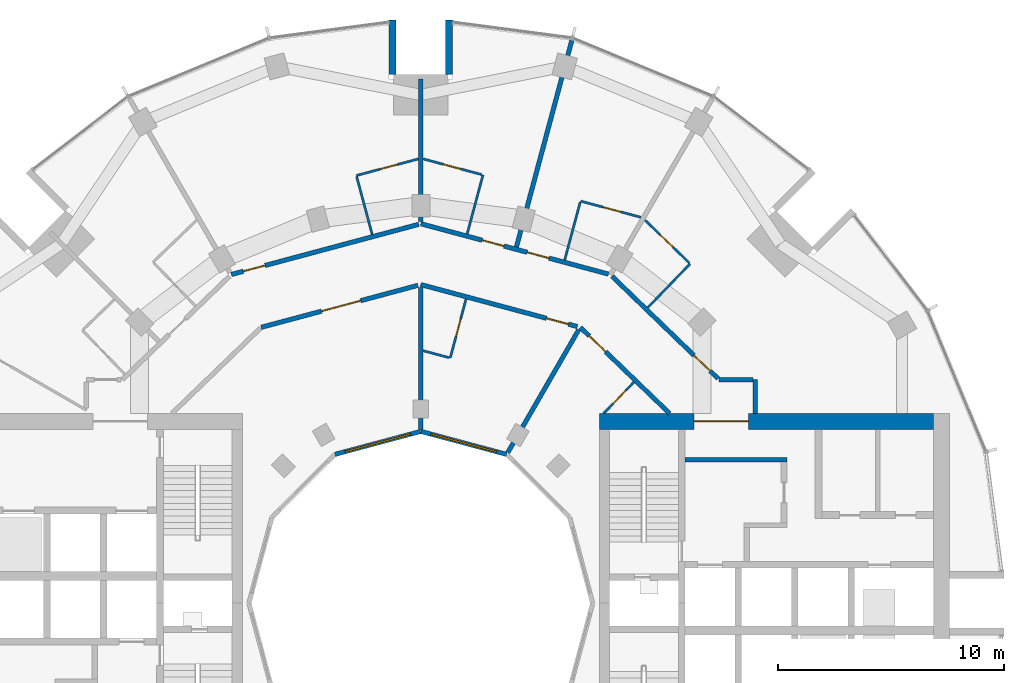
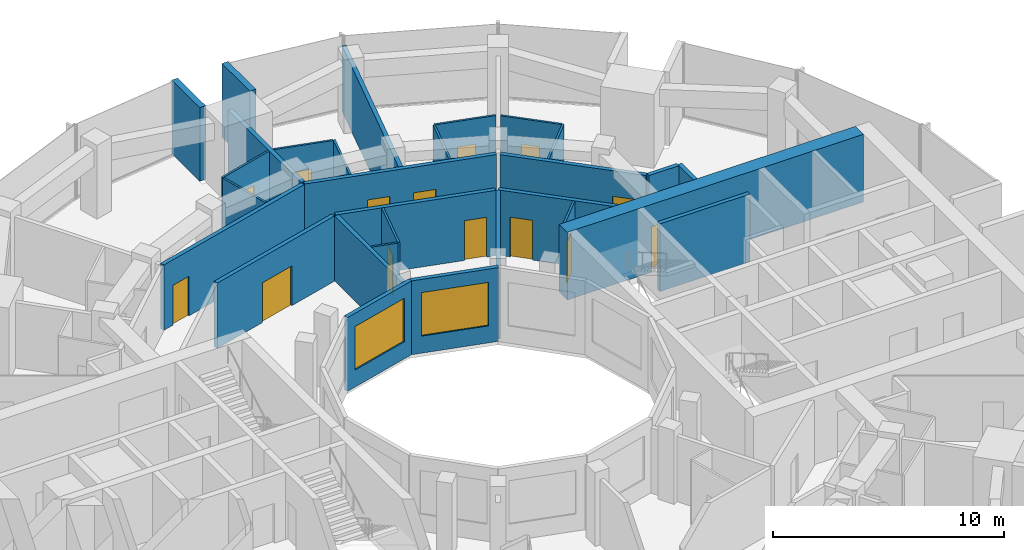
# One storey, part 12 of 15: 29 walls, 14 doors, 2 windows, 16 openings.
"""IFC4 building model written with IfcOpenShell, lengths in metres."""

from ifc_helpers import new_model, si_unit, direction, frame, frame_2d, origin, place, context, subcontext, project, spatial, rectangle, extrude, material, layer, layer_set, type_object, element, fill, save


model = new_model("IFC4")

# Units and contexts
model_context = context("Model", 3, precision=1e-05, world=origin(), true_north=direction((0.0, 1.0)))
body_context = subcontext(model_context, "Body", "Model", "MODEL_VIEW")
ifc_project = project(units=[si_unit("LENGTHUNIT", "METRE"), si_unit("AREAUNIT", "SQUARE_METRE"), si_unit("VOLUMEUNIT", "CUBIC_METRE"), si_unit("PLANEANGLEUNIT", "RADIAN"), si_unit("MASSUNIT", "GRAM", prefix="KILO")], contexts=[model_context])

# Site, building, storey
site_placement = place(None, origin())
site = spatial("IfcSite", under=ifc_project, at=site_placement, CompositionType="ELEMENT")
building_placement = place(site_placement, origin())
building = spatial("IfcBuilding", under=site, at=building_placement, Name="Torre Brocal", CompositionType="ELEMENT")
storey_placement = place(building_placement, frame((0.0, 0.0, 114.60009765625)))
storey = spatial("IfcBuildingStorey", under=building, at=storey_placement, Name="L26", CompositionType="ELEMENT", Elevation=114.60009765625)

# Wall
ifc_material_1 = material(Name="Concrete C70", Category="concrete")
ifc_layer_1 = layer(ifc_material_1, 0.199951171875)
ifc_layer_set_1 = layer_set([ifc_layer_1], Name="Concrete C70")
wall_type_1 = type_object("IfcWallType", Name="CORE WALL 200 C70", PredefinedType="SHEAR", material=ifc_layer_set_1)
wall_1_placement = place(storey_placement, frame((91.699951171875, 81.35009765625, 0.0), z_axis=(0.0, 0.0, 1.0), x_axis=(1.0, 0.0, 0.0)))
element("IfcWall", 1, at=wall_1_placement, inside=storey, type_object=wall_type_1, Name="Wall CW200-70", PredefinedType="SHEAR", context=body_context, shape_type="SweptSolid", body=[
    extrude(rectangle(XDim=4.5, YDim=0.199951171875, at=frame_2d((2.25, 0.0))), origin(), (0.0, 0.0, 1.0), 3.579833984375),
])

# Wall, opening, door
ifc_material_2 = material(Name="Concrete C70", Category="concrete")
ifc_layer_2 = layer(ifc_material_2, 0.699951171875)
ifc_layer_set_2 = layer_set([ifc_layer_2], Name="Concrete C70")
wall_type_2 = type_object("IfcWallType", Name="CORE WALL 700 C70", PredefinedType="SHEAR", material=ifc_layer_set_2)
wall_2_placement = place(storey_placement, frame((87.89990234375, 83.050048828125, 0.0), z_axis=(0.0, 0.0, 1.0), x_axis=(1.0, 0.0, 0.0)))
wall_2 = element("IfcWall", 2, at=wall_2_placement, inside=storey, type_object=wall_type_2, Name="Wall CW700-70", PredefinedType="SHEAR", context=body_context, shape_type="SweptSolid", body=[
    extrude(rectangle(XDim=14.800048828125, YDim=0.699951171875, at=frame_2d((7.39990234375, 0.0))), origin(), (0.0, 0.0, 1.0), 3.579833984375),
])
opening_1_placement = place(wall_2_placement, frame((4.199951171875, 0.0, 0.0)))
opening_1 = element("IfcOpeningElement", 3, at=opening_1_placement, cuts=wall_2, Name="Opening E-D24", PredefinedType="OPENING", context=body_context, shape_type="SweptSolid", body=[
    extrude(rectangle(XDim=2.39990234375, YDim=2.39990234375, at=frame_2d((1.199951171875, 1.199951171875))), frame((0.0, 0.35986328125, 0.0), z_axis=(0.0, -1.0, 0.0), x_axis=(1.0, 0.0, 0.0)), (0.0, 0.0, 1.0), 0.719970703125),
])
ifc_material_3 = material(Name="Steel A653", Category="steel")
door_type_1 = type_object("IfcDoorType", Name="DOUBLE FIRE DOOR FD90 2400X2400", OperationType="DOUBLE_DOOR_SINGLE_SWING", PredefinedType="DOOR", material=ifc_material_3)
door_1_placement = place(opening_1_placement, frame((2.39990234375, 0.0, 0.0), z_axis=(0.0, 0.0, 1.0), x_axis=(-1.0, 0.0, 0.0)))
door_1 = element("IfcDoor", 4, at=door_1_placement, inside=storey, type_object=door_type_1, Name="Door E-D24", OperationType="DOUBLE_DOOR_SINGLE_SWING", OverallHeight=2.39990234375, OverallWidth=2.39990234375, PredefinedType="DOOR", context=body_context, shape_type="SweptSolid", body=[
    extrude(rectangle(XDim=2.39990234375, YDim=2.39990234375, at=frame_2d((1.199951171875, 1.199951171875))), frame((0.0, 0.02490234375, 0.0), z_axis=(0.0, -1.0, 0.0), x_axis=(1.0, 0.0, 0.0)), (0.0, 0.0, 1.0), 0.050048828125),
])
fill(opening_1, door_1)

# Walls
ifc_material_4 = material(Name="Concrete C70", Category="concrete")
ifc_layer_3 = layer(ifc_material_4, 0.300048828125)
ifc_layer_set_3 = layer_set([ifc_layer_3], Name="Concrete C70")
wall_type_3 = type_object("IfcWallType", Name="NOTCH RETURN WALL 300 C70", PredefinedType="NOTDEFINED", material=ifc_layer_set_3)
for number, where, z_axis, x_axis, name in (
    (5, (81.25, 98.39990234375, 0.0), (0.0, 0.0, 1.0), (0.0, 1.0, 0.0), "NOTCH RETURN WALL"),
    (6, (78.75, 98.39990234375, 0.0), (0.0, 0.0, 1.0), (0.0, 1.0, 0.0), "NOTCH RETURN WALL"),
):
    element("IfcWall", number, at=place(storey_placement, frame(where, z_axis=z_axis, x_axis=x_axis)), inside=storey, type_object=wall_type_3, Name=name, PredefinedType="NOTDEFINED", context=body_context, shape_type="SweptSolid", body=[
        extrude(rectangle(XDim=2.415771484375, YDim=0.300048828125, at=frame_2d((1.2080078125, 0.0))), origin(), (0.0, 0.0, 1.0), 3.89990234375),
    ])
ifc_material_5 = material(Name="Gypsum board", Category="Gypsum")
ifc_layer_4 = layer(ifc_material_5, 0.10009765625)
ifc_layer_set_4 = layer_set([ifc_layer_4], Name="Gypsum board")
wall_type_4 = type_object("IfcWallType", Name="PARTITION 100", PredefinedType="PARTITIONING", material=ifc_layer_set_4)
wall_3_placement = place(storey_placement, frame((77.161865234375, 93.8828125, 0.0), z_axis=(0.0, 0.0, 1.0), x_axis=(0.258998589493, -0.965877699629, 0.0)))
element("IfcWall", 7, at=wall_3_placement, inside=storey, type_object=wall_type_4, Name="BATHROOM WALL", PredefinedType="PARTITIONING", context=body_context, shape_type="SweptSolid", body=[
    extrude(rectangle(XDim=2.649658203125, YDim=0.10009765625, at=frame_2d((1.32470703125, 0.0))), origin(), (0.0, 0.0, 1.0), 3.449951171875),
])

# Wall, opening, door
wall_4_placement = place(storey_placement, frame((77.14892578125, 93.930908203125, 0.0), z_axis=(0.0, 0.0, 1.0), x_axis=(0.965916219953, 0.258854893776, 0.0)))
wall_4 = element("IfcWall", 8, at=wall_4_placement, inside=storey, type_object=wall_type_4, Name="BATHROOM WALL", PredefinedType="PARTITIONING", context=body_context, shape_type="SweptSolid", body=[
    extrude(rectangle(XDim=2.841796875, YDim=0.10009765625, at=frame_2d((1.4208984375, 0.0))), origin(), (0.0, 0.0, 1.0), 3.449951171875),
])
opening_2_placement = place(wall_4_placement, frame((1.07568359375, 0.0, 0.0)))
opening_2 = element("IfcOpeningElement", 9, at=opening_2_placement, cuts=wall_4, Name="Opening E01-D08", PredefinedType="OPENING", context=body_context, shape_type="SweptSolid", body=[
    extrude(rectangle(XDim=0.800048828125, YDim=2.10009765625, at=frame_2d((0.39990234375, 1.050048828125))), frame((0.0, 0.06005859375, 0.0), z_axis=(0.0, -1.0, 0.0), x_axis=(1.0, 0.0, 0.0)), (0.0, 0.0, 1.0), 0.1201171875),
])
ifc_material_6 = material(Name="Timber", Category="wood")
door_type_2 = type_object("IfcDoorType", Name="BATHROOM DOOR 800X2100", OperationType="SINGLE_SWING_LEFT", PredefinedType="DOOR", material=ifc_material_6)
door_2_placement = place(opening_2_placement, frame((0.800048828125, 0.0, 0.0), z_axis=(0.0, 0.0, 1.0), x_axis=(-1.0, 0.0, 0.0)))
door_2 = element("IfcDoor", 10, at=door_2_placement, inside=storey, type_object=door_type_2, Name="E01-D08", OperationType="SINGLE_SWING_LEFT", OverallHeight=2.10009765625, OverallWidth=0.800048828125, PredefinedType="DOOR", context=body_context, shape_type="SweptSolid", body=[
    extrude(rectangle(XDim=0.800048828125, YDim=2.10009765625, at=frame_2d((0.39990234375, 1.050048828125))), frame((0.0, 0.02490234375, 0.0), z_axis=(0.0, -1.0, 0.0), x_axis=(1.0, 0.0, 0.0)), (0.0, 0.0, 1.0), 0.050048828125),
])
fill(opening_2, door_2)

# Wall
wall_5_placement = place(storey_placement, frame((80.106201171875, 86.176513671875, 0.0), z_axis=(0.0, 0.0, 1.0), x_axis=(0.966002973184, -0.258530957139, 0.0)))
element("IfcWall", 11, at=wall_5_placement, inside=storey, type_object=wall_type_4, Name="BATHROOM WALL", PredefinedType="PARTITIONING", context=body_context, shape_type="SweptSolid", body=[
    extrude(rectangle(XDim=1.18994140625, YDim=0.10009765625, at=frame_2d((0.594970703125, 0.0))), origin(), (0.0, 0.0, 1.0), 3.449951171875),
])

# Wall, opening, door
wall_6_placement = place(storey_placement, frame((80.106201171875, 94.666748046875, 0.0), z_axis=(0.0, 0.0, 1.0), x_axis=(0.965904298007, -0.258899376382, 0.0)))
wall_6 = element("IfcWall", 12, at=wall_6_placement, inside=storey, type_object=wall_type_4, Name="BATHROOM WALL", PredefinedType="PARTITIONING", context=body_context, shape_type="SweptSolid", body=[
    extrude(rectangle(XDim=2.6904296875, YDim=0.10009765625, at=frame_2d((1.34521484375, 0.0))), origin(), (0.0, 0.0, 1.0), 3.449951171875),
])
opening_3_placement = place(wall_6_placement, frame((0.9150390625, 0.0, 0.0)))
opening_3 = element("IfcOpeningElement", 13, at=opening_3_placement, cuts=wall_6, Name="Opening E01-D06", PredefinedType="OPENING", context=body_context, shape_type="SweptSolid", body=[
    extrude(rectangle(XDim=0.800048828125, YDim=2.10009765625, at=frame_2d((0.39990234375, 1.050048828125))), frame((0.0, 0.06005859375, 0.0), z_axis=(0.0, -1.0, 0.0), x_axis=(1.0, 0.0, 0.0)), (0.0, 0.0, 1.0), 0.1201171875),
])
door_3_placement = place(opening_3_placement, frame((0.800048828125, 0.0, 0.0), z_axis=(0.0, 0.0, 1.0), x_axis=(-1.0, 0.0, 0.0)))
door_3 = element("IfcDoor", 14, at=door_3_placement, inside=storey, type_object=door_type_2, Name="E01-D06", OperationType="SINGLE_SWING_RIGHT", OverallHeight=2.10009765625, OverallWidth=0.800048828125, PredefinedType="DOOR", context=body_context, shape_type="SweptSolid", body=[
    extrude(rectangle(XDim=0.800048828125, YDim=2.10009765625, at=frame_2d((0.39990234375, 1.050048828125))), frame((0.0, 0.02490234375, 0.0), z_axis=(0.0, -1.0, 0.0), x_axis=(1.0, 0.0, 0.0)), (0.0, 0.0, 1.0), 0.050048828125),
])
fill(opening_3, door_3)

wall_7_placement = place(storey_placement, frame((81.303955078125, 85.85595703125, 0.0), z_axis=(0.0, 0.0, 1.0), x_axis=(0.25867580527, 0.965964195904, 0.0)))
wall_7 = element("IfcWall", 15, at=wall_7_placement, inside=storey, type_object=wall_type_4, Name="BATHROOM WALL", PredefinedType="PARTITIONING", context=body_context, shape_type="SweptSolid", body=[
    extrude(rectangle(XDim=2.69921875, YDim=0.10009765625, at=frame_2d((1.349609375, 0.0))), origin(), (0.0, 0.0, 1.0), 3.449951171875),
])
opening_4_placement = place(wall_7_placement, frame((0.99951171875, 0.0, 0.0)))
opening_4 = element("IfcOpeningElement", 16, at=opening_4_placement, cuts=wall_7, Name="Opening E01-D17", PredefinedType="OPENING", context=body_context, shape_type="SweptSolid", body=[
    extrude(rectangle(XDim=0.800048828125, YDim=2.10009765625, at=frame_2d((0.39990234375, 1.050048828125))), frame((0.0, 0.06005859375, 0.0), z_axis=(0.0, -1.0, 0.0), x_axis=(1.0, 0.0, 0.0)), (0.0, 0.0, 1.0), 0.1201171875),
])
door_4_placement = place(opening_4_placement, origin())
door_4 = element("IfcDoor", 17, at=door_4_placement, inside=storey, type_object=door_type_2, Name="E01-D17", OperationType="SINGLE_SWING_RIGHT", OverallHeight=2.10009765625, OverallWidth=0.800048828125, PredefinedType="DOOR", context=body_context, shape_type="SweptSolid", body=[
    extrude(rectangle(XDim=0.800048828125, YDim=2.10009765625, at=frame_2d((0.39990234375, 1.050048828125))), frame((0.0, 0.02490234375, 0.0), z_axis=(0.0, -1.0, 0.0), x_axis=(1.0, 0.0, 0.0)), (0.0, 0.0, 1.0), 0.050048828125),
])
fill(opening_4, door_4)

# Walls
wall_8_placement = place(storey_placement, frame((82.053955078125, 91.349609375, 0.0), z_axis=(0.0, 0.0, 1.0), x_axis=(0.258928960762, 0.965896367774, 0.0)))
element("IfcWall", 18, at=wall_8_placement, inside=storey, type_object=wall_type_4, Name="BATHROOM WALL", PredefinedType="PARTITIONING", context=body_context, shape_type="SweptSolid", body=[
    extrude(rectangle(XDim=2.699462890625, YDim=0.10009765625, at=frame_2d((1.349609375, 0.0))), origin(), (0.0, 0.0, 1.0), 3.449951171875),
])
wall_9_placement = place(storey_placement, frame((86.3701171875, 90.193359375, 0.0), z_axis=(0.0, 0.0, 1.0), x_axis=(0.259044695829, 0.965865335108, 0.0)))
element("IfcWall", 19, at=wall_9_placement, inside=storey, type_object=wall_type_4, Name="BATHROOM WALL", PredefinedType="PARTITIONING", context=body_context, shape_type="SweptSolid", body=[
    extrude(rectangle(XDim=2.649169921875, YDim=0.10009765625, at=frame_2d((1.32470703125, 0.0))), origin(), (0.0, 0.0, 1.0), 3.449951171875),
])

# Wall, opening, door
wall_10_placement = place(storey_placement, frame((87.081787109375, 92.796875, 0.0), z_axis=(0.0, 0.0, 1.0), x_axis=(0.965892621415, -0.258942935598, 0.0)))
wall_10 = element("IfcWall", 20, at=wall_10_placement, inside=storey, type_object=wall_type_4, Name="BATHROOM WALL", PredefinedType="PARTITIONING", context=body_context, shape_type="SweptSolid", body=[
    extrude(rectangle(XDim=2.753173828125, YDim=0.10009765625, at=frame_2d((1.37646484375, 0.0))), origin(), (0.0, 0.0, 1.0), 3.449951171875),
])
opening_5_placement = place(wall_10_placement, frame((1.03173828125, 0.0, 0.0)))
opening_5 = element("IfcOpeningElement", 21, at=opening_5_placement, cuts=wall_10, Name="Opening E01-D04", PredefinedType="OPENING", context=body_context, shape_type="SweptSolid", body=[
    extrude(rectangle(XDim=0.800048828125, YDim=2.10009765625, at=frame_2d((0.39990234375, 1.050048828125))), frame((0.0, 0.06005859375, 0.0), z_axis=(0.0, -1.0, 0.0), x_axis=(1.0, 0.0, 0.0)), (0.0, 0.0, 1.0), 0.1201171875),
])
door_5_placement = place(opening_5_placement, frame((0.800048828125, 0.0, 0.0), z_axis=(0.0, 0.0, 1.0), x_axis=(-1.0, 0.0, 0.0)))
door_5 = element("IfcDoor", 22, at=door_5_placement, inside=storey, type_object=door_type_2, Name="E01-D04", OperationType="SINGLE_SWING_LEFT", OverallHeight=2.10009765625, OverallWidth=0.800048828125, PredefinedType="DOOR", context=body_context, shape_type="SweptSolid", body=[
    extrude(rectangle(XDim=0.800048828125, YDim=2.10009765625, at=frame_2d((0.39990234375, 1.050048828125))), frame((0.0, 0.02490234375, 0.0), z_axis=(0.0, -1.0, 0.0), x_axis=(1.0, 0.0, 0.0)), (0.0, 0.0, 1.0), 0.050048828125),
])
fill(opening_5, door_5)

wall_11_placement = place(storey_placement, frame((88.094970703125, 83.39990234375, 0.0), z_axis=(0.0, 0.0, 1.0), x_axis=(0.694447472534, 0.719543402368, 0.0)))
wall_11 = element("IfcWall", 23, at=wall_11_placement, inside=storey, type_object=wall_type_4, Name="BATHROOM WALL", PredefinedType="PARTITIONING", context=body_context, shape_type="SweptSolid", body=[
    extrude(rectangle(XDim=1.92626953125, YDim=0.10009765625, at=frame_2d((0.963134765625, 0.0))), origin(), (0.0, 0.0, 1.0), 3.449951171875),
])
opening_6_placement = place(wall_11_placement, frame((0.613037109375, 0.0, 0.0)))
opening_6 = element("IfcOpeningElement", 24, at=opening_6_placement, cuts=wall_11, Name="Opening E01-D15", PredefinedType="OPENING", context=body_context, shape_type="SweptSolid", body=[
    extrude(rectangle(XDim=0.800048828125, YDim=2.10009765625, at=frame_2d((0.39990234375, 1.050048828125))), frame((0.0, 0.06005859375, 0.0), z_axis=(0.0, -1.0, 0.0), x_axis=(1.0, 0.0, 0.0)), (0.0, 0.0, 1.0), 0.1201171875),
])
door_6_placement = place(opening_6_placement, frame((0.800048828125, 0.0, 0.0), z_axis=(0.0, 0.0, 1.0), x_axis=(-1.0, 0.0, 0.0)))
door_6 = element("IfcDoor", 25, at=door_6_placement, inside=storey, type_object=door_type_2, Name="E01-D15", OperationType="SINGLE_SWING_LEFT", OverallHeight=2.10009765625, OverallWidth=0.800048828125, PredefinedType="DOOR", context=body_context, shape_type="SweptSolid", body=[
    extrude(rectangle(XDim=0.800048828125, YDim=2.10009765625, at=frame_2d((0.39990234375, 1.050048828125))), frame((0.0, 0.02490234375, 0.0), z_axis=(0.0, -1.0, 0.0), x_axis=(1.0, 0.0, 0.0)), (0.0, 0.0, 1.0), 0.050048828125),
])
fill(opening_6, door_6)

wall_12_placement = place(storey_placement, frame((89.9248046875, 91.956298828125, 0.0), z_axis=(0.0, 0.0, 1.0), x_axis=(0.719395291255, -0.694600903339, 0.0)))
wall_12 = element("IfcWall", 26, at=wall_12_placement, inside=storey, type_object=wall_type_4, Name="BATHROOM WALL", PredefinedType="PARTITIONING", context=body_context, shape_type="SweptSolid", body=[
    extrude(rectangle(XDim=2.7275390625, YDim=0.10009765625, at=frame_2d((1.36376953125, 0.0))), origin(), (0.0, 0.0, 1.0), 3.449951171875),
])
opening_7_placement = place(wall_12_placement, frame((0.928466796875, 0.0, 0.0)))
opening_7 = element("IfcOpeningElement", 27, at=opening_7_placement, cuts=wall_12, Name="Opening E01-D02", PredefinedType="OPENING", context=body_context, shape_type="SweptSolid", body=[
    extrude(rectangle(XDim=0.800048828125, YDim=2.10009765625, at=frame_2d((0.39990234375, 1.050048828125))), frame((0.0, 0.06005859375, 0.0), z_axis=(0.0, -1.0, 0.0), x_axis=(1.0, 0.0, 0.0)), (0.0, 0.0, 1.0), 0.1201171875),
])
door_7_placement = place(opening_7_placement, frame((0.800048828125, 0.0, 0.0), z_axis=(0.0, 0.0, 1.0), x_axis=(-1.0, 0.0, 0.0)))
door_7 = element("IfcDoor", 28, at=door_7_placement, inside=storey, type_object=door_type_2, Name="E01-D02", OperationType="SINGLE_SWING_RIGHT", OverallHeight=2.10009765625, OverallWidth=0.800048828125, PredefinedType="DOOR", context=body_context, shape_type="SweptSolid", body=[
    extrude(rectangle(XDim=0.800048828125, YDim=2.10009765625, at=frame_2d((0.39990234375, 1.050048828125))), frame((0.0, 0.02490234375, 0.0), z_axis=(0.0, -1.0, 0.0), x_axis=(1.0, 0.0, 0.0)), (0.0, 0.0, 1.0), 0.050048828125),
])
fill(opening_7, door_7)

# Wall
wall_13_placement = place(storey_placement, frame((90.047607421875, 88.0849609375, 0.0), z_axis=(0.0, 0.0, 1.0), x_axis=(0.694655834207, 0.71934224956, 0.0)))
element("IfcWall", 29, at=wall_13_placement, inside=storey, type_object=wall_type_4, Name="BATHROOM WALL", PredefinedType="PARTITIONING", context=body_context, shape_type="SweptSolid", body=[
    extrude(rectangle(XDim=2.699951171875, YDim=0.10009765625, at=frame_2d((1.35009765625, 0.0))), origin(), (0.0, 0.0, 1.0), 3.449951171875),
])

# Wall, opening, door
ifc_material_7 = material(Name="Gypsum board", Category="Gypsum")
ifc_layer_5 = layer(ifc_material_7, 0.199951171875)
ifc_layer_set_5 = layer_set([ifc_layer_5], Name="Gypsum board")
wall_type_5 = type_object("IfcWallType", Name="PARTITION 200 EI60", PredefinedType="PARTITIONING", material=ifc_layer_set_5)
wall_14_placement = place(storey_placement, frame((71.61376953125, 89.549560546875, 0.0), z_axis=(0.0, 0.0, 1.0), x_axis=(0.965967958589, 0.258661753994, 0.0)))
wall_14 = element("IfcWall", 30, at=wall_14_placement, inside=storey, type_object=wall_type_5, Name="GUESTROOM CORRIDOR WALL", PredefinedType="PARTITIONING", context=body_context, shape_type="SweptSolid", body=[
    extrude(rectangle(XDim=8.592041015625, YDim=0.199951171875, at=frame_2d((4.2958984375, 0.0))), origin(), (0.0, 0.0, 1.0), 3.449951171875),
])
opening_8_placement = place(wall_14_placement, frame((0.550048828125, 0.0, 0.0)))
opening_8 = element("IfcOpeningElement", 31, at=opening_8_placement, cuts=wall_14, Name="Opening E01-D07", PredefinedType="OPENING", context=body_context, shape_type="SweptSolid", body=[
    extrude(rectangle(XDim=1.0, YDim=2.10009765625, at=frame_2d((0.5, 1.050048828125))), frame((0.0, 0.10986328125, 0.0), z_axis=(0.0, -1.0, 0.0), x_axis=(1.0, 0.0, 0.0)), (0.0, 0.0, 1.0), 0.219970703125),
])
ifc_material_8 = material(Name="Timber", Category="wood")
door_type_3 = type_object("IfcDoorType", Name="FLAT ENTRY DOOR FD30S 1000X2100", OperationType="SINGLE_SWING_RIGHT", PredefinedType="DOOR", material=ifc_material_8)
door_8_placement = place(opening_8_placement, origin())
door_8 = element("IfcDoor", 32, at=door_8_placement, inside=storey, type_object=door_type_3, Name="E01-D07", OperationType="SINGLE_SWING_LEFT", OverallHeight=2.10009765625, OverallWidth=1.0, PredefinedType="DOOR", context=body_context, shape_type="SweptSolid", body=[
    extrude(rectangle(XDim=1.0, YDim=2.10009765625, at=frame_2d((0.5, 1.050048828125))), frame((0.0, 0.02490234375, 0.0), z_axis=(0.0, -1.0, 0.0), x_axis=(1.0, 0.0, 0.0)), (0.0, 0.0, 1.0), 0.050048828125),
])
fill(opening_8, door_8)

wall_15_placement = place(storey_placement, frame((72.93603515625, 87.2109375, 0.0), z_axis=(0.0, 0.0, 1.0), x_axis=(0.965917703859, 0.258849356521, 0.0)))
wall_15 = element("IfcWall", 33, at=wall_15_placement, inside=storey, type_object=wall_type_5, Name="GUESTROOM CORRIDOR WALL", PredefinedType="PARTITIONING", context=body_context, shape_type="SweptSolid", body=[
    extrude(rectangle(XDim=7.182373046875, YDim=0.199951171875, at=frame_2d((3.59130859375, 0.0))), origin(), (0.0, 0.0, 1.0), 3.449951171875),
])
opening_9_placement = place(wall_15_placement, frame((2.756591796875, 0.0, 0.0)))
opening_9 = element("IfcOpeningElement", 34, at=opening_9_placement, cuts=wall_15, Name="Opening E01-D18", PredefinedType="OPENING", context=body_context, shape_type="SweptSolid", body=[
    extrude(rectangle(XDim=1.800048828125, YDim=2.10009765625, at=frame_2d((0.89990234375, 1.050048828125))), frame((0.0, 0.10986328125, 0.0), z_axis=(0.0, -1.0, 0.0), x_axis=(1.0, 0.0, 0.0)), (0.0, 0.0, 1.0), 0.219970703125),
])
ifc_material_9 = material(Name="Timber", Category="wood")
door_type_4 = type_object("IfcDoorType", Name="DOUBLE DOOR 1800X2100", OperationType="DOUBLE_DOOR_SINGLE_SWING", PredefinedType="DOOR", material=ifc_material_9)
door_9_placement = place(opening_9_placement, frame((1.800048828125, 0.0, 0.0), z_axis=(0.0, 0.0, 1.0), x_axis=(-1.0, 0.0, 0.0)))
door_9 = element("IfcDoor", 35, at=door_9_placement, inside=storey, type_object=door_type_4, Name="E01-D18", OperationType="DOUBLE_DOOR_SINGLE_SWING", OverallHeight=2.10009765625, OverallWidth=1.800048828125, PredefinedType="DOOR", context=body_context, shape_type="SweptSolid", body=[
    extrude(rectangle(XDim=1.800048828125, YDim=2.10009765625, at=frame_2d((0.89990234375, 1.050048828125))), frame((0.0, 0.02490234375, 0.0), z_axis=(0.0, -1.0, 0.0), x_axis=(1.0, 0.0, 0.0)), (0.0, 0.0, 1.0), 0.050048828125),
])
fill(opening_9, door_9)

# Wall
wall_16_placement = place(storey_placement, frame((80.0, 82.699951171875, 0.0), z_axis=(0.0, 0.0, 1.0), x_axis=(0.0, 1.0, 0.0)))
element("IfcWall", 36, at=wall_16_placement, inside=storey, type_object=wall_type_5, Name="BATHROOM WALL", PredefinedType="PARTITIONING", context=body_context, shape_type="SweptSolid", body=[
    extrude(rectangle(XDim=6.27294921875, YDim=0.199951171875, at=frame_2d((3.136474609375, 0.0))), origin(), (0.0, 0.0, 1.0), 3.449951171875),
])

# Wall, opening, door
wall_17_placement = place(storey_placement, frame((80.0, 89.10400390625, 0.0), z_axis=(0.0, 0.0, 1.0), x_axis=(0.965856548257, -0.259077455964, 0.0)))
wall_17 = element("IfcWall", 37, at=wall_17_placement, inside=storey, type_object=wall_type_5, Name="GUESTROOM CORRIDOR WALL", PredefinedType="PARTITIONING", context=body_context, shape_type="SweptSolid", body=[
    extrude(rectangle(XDim=7.173095703125, YDim=0.199951171875, at=frame_2d((3.58642578125, 0.0))), origin(), (0.0, 0.0, 1.0), 3.449951171875),
])
opening_10_placement = place(wall_17_placement, frame((5.76318359375, 0.0, 0.0)))
opening_10 = element("IfcOpeningElement", 38, at=opening_10_placement, cuts=wall_17, Name="Opening E01-D16", PredefinedType="OPENING", context=body_context, shape_type="SweptSolid", body=[
    extrude(rectangle(XDim=1.0, YDim=2.10009765625, at=frame_2d((0.5, 1.050048828125))), frame((0.0, 0.10986328125, 0.0), z_axis=(0.0, -1.0, 0.0), x_axis=(1.0, 0.0, 0.0)), (0.0, 0.0, 1.0), 0.219970703125),
])
door_10_placement = place(opening_10_placement, frame((1.0, 0.0, 0.0), z_axis=(0.0, 0.0, 1.0), x_axis=(-1.0, 0.0, 0.0)))
door_10 = element("IfcDoor", 39, at=door_10_placement, inside=storey, type_object=door_type_3, Name="E01-D16", OperationType="SINGLE_SWING_LEFT", OverallHeight=2.10009765625, OverallWidth=1.0, PredefinedType="DOOR", context=body_context, shape_type="SweptSolid", body=[
    extrude(rectangle(XDim=1.0, YDim=2.10009765625, at=frame_2d((0.5, 1.050048828125))), frame((0.0, 0.02490234375, 0.0), z_axis=(0.0, -1.0, 0.0), x_axis=(1.0, 0.0, 0.0)), (0.0, 0.0, 1.0), 0.050048828125),
])
fill(opening_10, door_10)

# Wall
wall_18_placement = place(storey_placement, frame((80.0, 91.886962890625, 0.0), z_axis=(0.0, 0.0, 1.0), x_axis=(0.0, 1.0, 0.0)))
element("IfcWall", 40, at=wall_18_placement, inside=storey, type_object=wall_type_5, Name="BATHROOM WALL", PredefinedType="PARTITIONING", context=body_context, shape_type="SweptSolid", body=[
    extrude(rectangle(XDim=6.31201171875, YDim=0.199951171875, at=frame_2d((3.156005859375, 0.0))), origin(), (0.0, 0.0, 1.0), 3.449951171875),
])

# Wall, openings, doors
wall_19_placement = place(storey_placement, frame((80.000244140625, 91.796875, 0.0), z_axis=(0.0, 0.0, 1.0), x_axis=(0.965857042792, -0.259075612301, 0.0)))
wall_19 = element("IfcWall", 41, at=wall_19_placement, inside=storey, type_object=wall_type_5, Name="GUESTROOM CORRIDOR WALL", PredefinedType="PARTITIONING", context=body_context, shape_type="SweptSolid", body=[
    extrude(rectangle(XDim=8.601806640625, YDim=0.199951171875, at=frame_2d((4.30078125, 0.0))), origin(), (0.0, 0.0, 1.0), 3.449951171875),
])
opening_11_placement = place(wall_19_placement, frame((4.87744140625, 0.0, 0.0)))
opening_11 = element("IfcOpeningElement", 42, at=opening_11_placement, cuts=wall_19, Name="Opening E01-D03", PredefinedType="OPENING", context=body_context, shape_type="SweptSolid", body=[
    extrude(rectangle(XDim=1.0, YDim=2.10009765625, at=frame_2d((0.5, 1.050048828125))), frame((0.0, 0.10986328125, 0.0), z_axis=(0.0, -1.0, 0.0), x_axis=(1.0, 0.0, 0.0)), (0.0, 0.0, 1.0), 0.219970703125),
])
opening_12_placement = place(wall_19_placement, frame((2.816650390625, 0.0, 0.0)))
opening_12 = element("IfcOpeningElement", 43, at=opening_12_placement, cuts=wall_19, Name="Opening E01-D05", PredefinedType="OPENING", context=body_context, shape_type="SweptSolid", body=[
    extrude(rectangle(XDim=1.0, YDim=2.10009765625, at=frame_2d((0.5, 1.050048828125))), frame((0.0, 0.10986328125, 0.0), z_axis=(0.0, -1.0, 0.0), x_axis=(1.0, 0.0, 0.0)), (0.0, 0.0, 1.0), 0.219970703125),
])
door_11_placement = place(opening_11_placement, origin())
door_11 = element("IfcDoor", 44, at=door_11_placement, inside=storey, type_object=door_type_3, Name="E01-D03", OperationType="SINGLE_SWING_LEFT", OverallHeight=2.10009765625, OverallWidth=1.0, PredefinedType="DOOR", context=body_context, shape_type="SweptSolid", body=[
    extrude(rectangle(XDim=1.0, YDim=2.10009765625, at=frame_2d((0.5, 1.050048828125))), frame((0.0, 0.02490234375, 0.0), z_axis=(0.0, -1.0, 0.0), x_axis=(1.0, 0.0, 0.0)), (0.0, 0.0, 1.0), 0.050048828125),
])
fill(opening_11, door_11)
door_12_placement = place(opening_12_placement, origin())
door_12 = element("IfcDoor", 45, at=door_12_placement, inside=storey, type_object=door_type_3, Name="E01-D05", OperationType="SINGLE_SWING_RIGHT", OverallHeight=2.10009765625, OverallWidth=1.0, PredefinedType="DOOR", context=body_context, shape_type="SweptSolid", body=[
    extrude(rectangle(XDim=1.0, YDim=2.10009765625, at=frame_2d((0.5, 1.050048828125))), frame((0.0, 0.02490234375, 0.0), z_axis=(0.0, -1.0, 0.0), x_axis=(1.0, 0.0, 0.0)), (0.0, 0.0, 1.0), 0.050048828125),
])
fill(opening_12, door_12)

# Walls
wall_20_placement = place(storey_placement, frame((83.849853515625, 81.66650390625, 0.0), z_axis=(0.0, 0.0, 1.0), x_axis=(0.500224530691, 0.865895732115, 0.0)))
element("IfcWall", 46, at=wall_20_placement, inside=storey, type_object=wall_type_5, Name="PARTY PARTITION", PredefinedType="PARTITIONING", context=body_context, shape_type="SweptSolid", body=[
    extrude(rectangle(XDim=6.28515625, YDim=0.199951171875, at=frame_2d((3.142578125, 0.0))), origin(), (0.0, 0.0, 1.0), 3.449951171875),
])
wall_21_placement = place(storey_placement, frame((84.23291015625, 90.765380859375, 0.0), z_axis=(0.0, 0.0, 1.0), x_axis=(0.259046484815, 0.965864855301, 0.0)))
element("IfcWall", 47, at=wall_21_placement, inside=storey, type_object=wall_type_5, Name="PARTY PARTITION", PredefinedType="PARTITIONING", context=body_context, shape_type="SweptSolid", body=[
    extrude(rectangle(XDim=9.474609375, YDim=0.199951171875, at=frame_2d((4.7373046875, 0.0))), origin(), (0.0, 0.0, 1.0), 3.449951171875),
])

# Wall, opening, door
wall_22_placement = place(storey_placement, frame((87.06396484375, 87.2109375, 0.0), z_axis=(0.0, 0.0, 1.0), x_axis=(0.719540958932, -0.694450004262, 0.0)))
wall_22 = element("IfcWall", 48, at=wall_22_placement, inside=storey, type_object=wall_type_5, Name="GUESTROOM CORRIDOR WALL", PredefinedType="PARTITIONING", context=body_context, shape_type="SweptSolid", body=[
    extrude(rectangle(XDim=5.48779296875, YDim=0.199951171875, at=frame_2d((2.743896484375, 0.0))), origin(), (0.0, 0.0, 1.0), 3.449951171875),
])
opening_13_placement = place(wall_22_placement, frame((0.550048828125, 0.0, 0.0)))
opening_13 = element("IfcOpeningElement", 49, at=opening_13_placement, cuts=wall_22, Name="Opening E01-D14", PredefinedType="OPENING", context=body_context, shape_type="SweptSolid", body=[
    extrude(rectangle(XDim=1.0, YDim=2.10009765625, at=frame_2d((0.5, 1.050048828125))), frame((0.0, 0.10986328125, 0.0), z_axis=(0.0, -1.0, 0.0), x_axis=(1.0, 0.0, 0.0)), (0.0, 0.0, 1.0), 0.219970703125),
])
door_13_placement = place(opening_13_placement, frame((1.0, 0.0, 0.0), z_axis=(0.0, 0.0, 1.0), x_axis=(-1.0, 0.0, 0.0)))
door_13 = element("IfcDoor", 50, at=door_13_placement, inside=storey, type_object=door_type_3, Name="E01-D14", OperationType="SINGLE_SWING_RIGHT", OverallHeight=2.10009765625, OverallWidth=1.0, PredefinedType="DOOR", context=body_context, shape_type="SweptSolid", body=[
    extrude(rectangle(XDim=1.0, YDim=2.10009765625, at=frame_2d((0.5, 1.050048828125))), frame((0.0, 0.02490234375, 0.0), z_axis=(0.0, -1.0, 0.0), x_axis=(1.0, 0.0, 0.0)), (0.0, 0.0, 1.0), 0.050048828125),
])
fill(opening_13, door_13)

wall_23_placement = place(storey_placement, frame((88.4658203125, 89.47314453125, 0.0), z_axis=(0.0, 0.0, 1.0), x_axis=(0.719346014649, -0.694651935295, 0.0)))
wall_23 = element("IfcWall", 51, at=wall_23_placement, inside=storey, type_object=wall_type_5, Name="GUESTROOM CORRIDOR WALL", PredefinedType="PARTITIONING", context=body_context, shape_type="SweptSolid", body=[
    extrude(rectangle(XDim=6.525146484375, YDim=0.199951171875, at=frame_2d((3.2626953125, 0.0))), origin(), (0.0, 0.0, 1.0), 3.449951171875),
])
opening_14_placement = place(wall_23_placement, frame((5.034423828125, 0.0, 0.0)))
opening_14 = element("IfcOpeningElement", 52, at=opening_14_placement, cuts=wall_23, Name="Opening E01-D01", PredefinedType="OPENING", context=body_context, shape_type="SweptSolid", body=[
    extrude(rectangle(XDim=1.0, YDim=2.10009765625, at=frame_2d((0.5, 1.050048828125))), frame((0.0, 0.10986328125, 0.0), z_axis=(0.0, -1.0, 0.0), x_axis=(1.0, 0.0, 0.0)), (0.0, 0.0, 1.0), 0.219970703125),
])
door_14_placement = place(opening_14_placement, origin())
door_14 = element("IfcDoor", 53, at=door_14_placement, inside=storey, type_object=door_type_3, Name="E01-D01", OperationType="SINGLE_SWING_RIGHT", OverallHeight=2.10009765625, OverallWidth=1.0, PredefinedType="DOOR", context=body_context, shape_type="SweptSolid", body=[
    extrude(rectangle(XDim=1.0, YDim=2.10009765625, at=frame_2d((0.5, 1.050048828125))), frame((0.0, 0.02490234375, 0.0), z_axis=(0.0, -1.0, 0.0), x_axis=(1.0, 0.0, 0.0)), (0.0, 0.0, 1.0), 0.050048828125),
])
fill(opening_14, door_14)

# Walls
wall_24_placement = place(storey_placement, frame((93.2041015625, 84.89990234375, 0.0), z_axis=(0.0, 0.0, 1.0), x_axis=(1.0, 0.0, 0.0)))
element("IfcWall", 54, at=wall_24_placement, inside=storey, type_object=wall_type_5, Name="GUESTROOM CORRIDOR WALL", PredefinedType="PARTITIONING", context=body_context, shape_type="SweptSolid", body=[
    extrude(rectangle(XDim=1.495849609375, YDim=0.199951171875, at=frame_2d((0.748046875, 0.0))), origin(), (0.0, 0.0, 1.0), 3.449951171875),
])
wall_25_placement = place(storey_placement, frame((94.800048828125, 83.40087890625, 0.0), z_axis=(0.0, 0.0, 1.0), x_axis=(0.0, 1.0, 0.0)))
element("IfcWall", 55, at=wall_25_placement, inside=storey, type_object=wall_type_5, Name="GUESTROOM CORRIDOR WALL", PredefinedType="PARTITIONING", context=body_context, shape_type="SweptSolid", body=[
    extrude(rectangle(XDim=1.4990234375, YDim=0.199951171875, at=frame_2d((0.74951171875, 0.0))), origin(), (0.0, 0.0, 1.0), 3.449951171875),
])

# Wall, opening, window
ifc_material_10 = material(Name="Concrete C40", Category="concrete")
ifc_layer_6 = layer(ifc_material_10, 0.199951171875)
ifc_layer_set_6 = layer_set([ifc_layer_6], Name="Concrete C40")
wall_type_6 = type_object("IfcWallType", Name="WELL FACADE WALL 200", PredefinedType="NOTDEFINED", material=ifc_layer_set_6)
wall_26_placement = place(storey_placement, frame((83.8017578125, 81.5849609375, 0.0), z_axis=(0.0, 0.0, 1.0), x_axis=(-0.965933654434, 0.258789828301, 0.0)))
wall_26 = element("IfcWall", 56, at=wall_26_placement, inside=storey, type_object=wall_type_6, Name="WELL FACADE WALL", PredefinedType="NOTDEFINED", context=body_context, shape_type="SweptSolid", body=[
    extrude(rectangle(XDim=3.935791015625, YDim=0.199951171875, at=frame_2d((1.9677734375, 0.0))), origin(), (0.0, 0.0, 1.0), 3.89990234375),
])
opening_15_placement = place(wall_26_placement, frame((0.468017578125, 0.0, 0.89990234375)))
opening_15 = element("IfcOpeningElement", 57, at=opening_15_placement, cuts=wall_26, Name="Opening W1", PredefinedType="OPENING", context=body_context, shape_type="SweptSolid", body=[
    extrude(rectangle(XDim=3.0, YDim=2.300048828125, at=frame_2d((1.5, 1.14990234375))), frame((0.0, 0.10986328125, 0.0), z_axis=(0.0, -1.0, 0.0), x_axis=(1.0, 0.0, 0.0)), (0.0, 0.0, 1.0), 0.219970703125),
])
ifc_material_11 = material(Name="Aluminium and glass", Category="aluminium")
window_type = type_object("IfcWindowType", Name="WELL WINDOW 3000X2300", PartitioningType="SINGLE_PANEL", PredefinedType="WINDOW", material=ifc_material_11)
window_1_placement = place(opening_15_placement, origin())
window_1 = element("IfcWindow", 58, at=window_1_placement, inside=storey, type_object=window_type, Name="WELL WINDOW 3000X2300", OverallHeight=2.300048828125, OverallWidth=3.0, PartitioningType="SINGLE_PANEL", PredefinedType="WINDOW", context=body_context, shape_type="SweptSolid", body=[
    extrude(rectangle(XDim=3.0, YDim=2.300048828125, at=frame_2d((1.5, 1.14990234375))), frame((0.0, 0.030029296875, 0.0), z_axis=(0.0, -1.0, 0.0), x_axis=(1.0, 0.0, 0.0)), (0.0, 0.0, 1.0), 0.06005859375),
])
fill(opening_15, window_1)

wall_27_placement = place(storey_placement, frame((80.0, 82.603515625, 0.0), z_axis=(0.0, 0.0, 1.0), x_axis=(-0.965933654434, -0.258789828301, 0.0)))
wall_27 = element("IfcWall", 59, at=wall_27_placement, inside=storey, type_object=wall_type_6, Name="WELL FACADE WALL", PredefinedType="NOTDEFINED", context=body_context, shape_type="SweptSolid", body=[
    extrude(rectangle(XDim=3.935791015625, YDim=0.199951171875, at=frame_2d((1.9677734375, 0.0))), origin(), (0.0, 0.0, 1.0), 3.89990234375),
])
opening_16_placement = place(wall_27_placement, frame((0.468017578125, 0.0, 0.89990234375)))
opening_16 = element("IfcOpeningElement", 60, at=opening_16_placement, cuts=wall_27, Name="Opening W1", PredefinedType="OPENING", context=body_context, shape_type="SweptSolid", body=[
    extrude(rectangle(XDim=3.0, YDim=2.300048828125, at=frame_2d((1.5, 1.14990234375))), frame((0.0, 0.10986328125, 0.0), z_axis=(0.0, -1.0, 0.0), x_axis=(1.0, 0.0, 0.0)), (0.0, 0.0, 1.0), 0.219970703125),
])
window_2_placement = place(opening_16_placement, origin())
window_2 = element("IfcWindow", 61, at=window_2_placement, inside=storey, type_object=window_type, Name="WELL WINDOW 3000X2300", OverallHeight=2.300048828125, OverallWidth=3.0, PartitioningType="SINGLE_PANEL", PredefinedType="WINDOW", context=body_context, shape_type="SweptSolid", body=[
    extrude(rectangle(XDim=3.0, YDim=2.300048828125, at=frame_2d((1.5, 1.14990234375))), frame((0.0, 0.030029296875, 0.0), z_axis=(0.0, -1.0, 0.0), x_axis=(1.0, 0.0, 0.0)), (0.0, 0.0, 1.0), 0.06005859375),
])
fill(opening_16, window_2)

save(model, "model.ifc")
